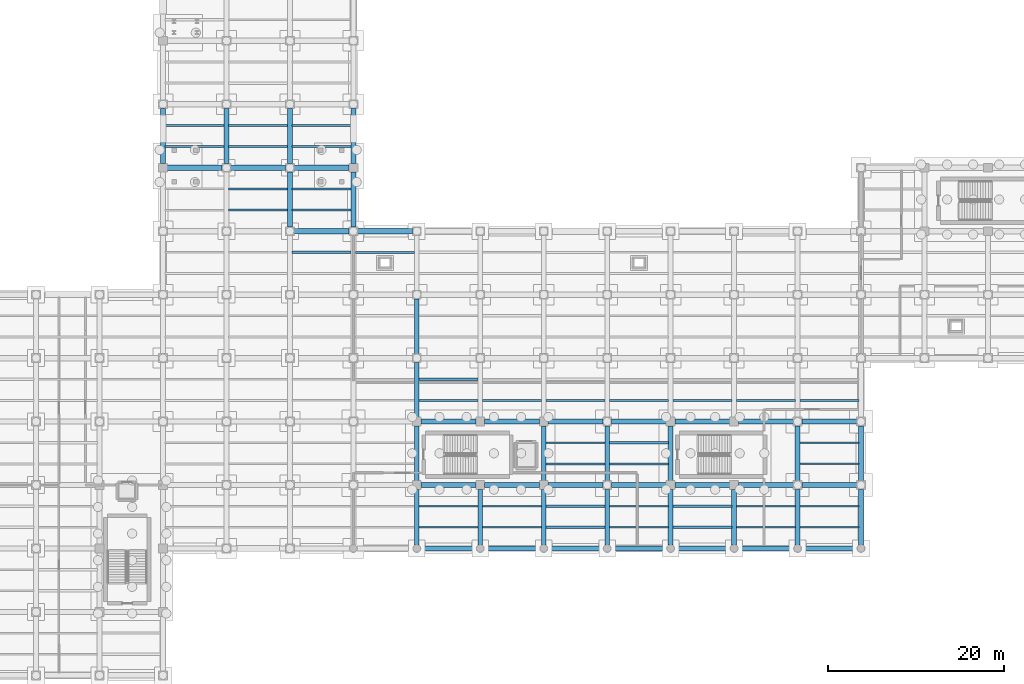
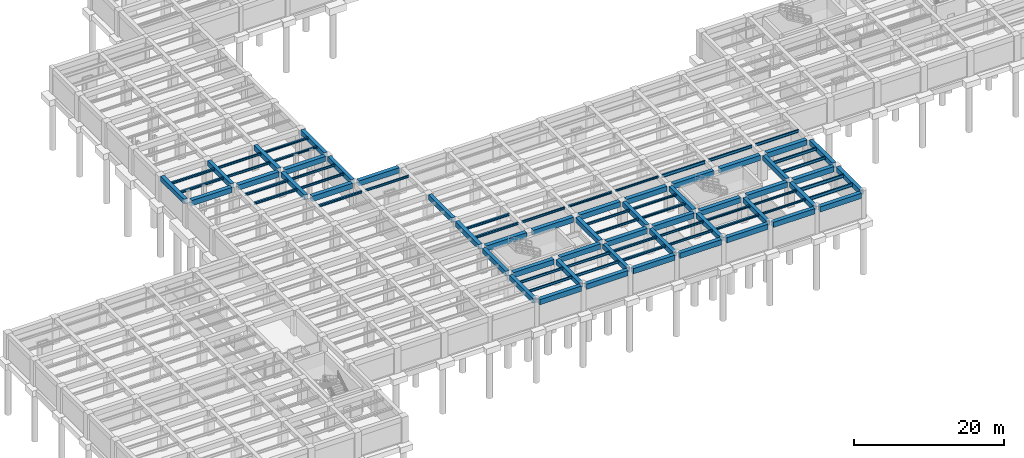
# One storey, part 10 of 34: 88 beams.
"""IFC4 building model written with IfcOpenShell, lengths in metres."""

from ifc_helpers import new_model, si_unit, direction, frame, origin, origin_2d, place, context, subcontext, project, spatial, rectangle, i_section, extrude, material, material_profile, profile_set, type_object, element, save


model = new_model("IFC4")

# Units and contexts
model_context = context("Model", 3, precision=1e-05, world=origin(), true_north=direction((0.0, 1.0)))
body_context = subcontext(model_context, "Body", "Model", "MODEL_VIEW")
ifc_project = project(units=[si_unit("LENGTHUNIT", "METRE"), si_unit("AREAUNIT", "SQUARE_METRE"), si_unit("VOLUMEUNIT", "CUBIC_METRE"), si_unit("PLANEANGLEUNIT", "RADIAN"), si_unit("MASSUNIT", "GRAM", prefix="KILO")], contexts=[model_context])

# Site, building, storey
site_placement = place(None, origin())
site = spatial("IfcSite", under=ifc_project, at=site_placement, CompositionType="ELEMENT")
building_placement = place(site_placement, origin())
building = spatial("IfcBuilding", under=site, at=building_placement, Name="Solenvale Faculty of Natural Sciences", CompositionType="ELEMENT")
storey_placement = place(building_placement, frame((0.0, 0.0, -4.5)))
storey = spatial("IfcBuildingStorey", under=building, at=storey_placement, Name="B01", CompositionType="ELEMENT", Elevation=-4.5)

# Beams
ifc_material_1 = material(Name="Concrete 40 MPa", Category="concrete")
ifc_material_profile_1 = material_profile(ifc_material_1, rectangle(XDim=0.550048828125, YDim=0.800048828125, at=origin_2d()), Name="RC-BM-550x800")
ifc_profile_set_1 = profile_set([ifc_material_profile_1], Name="Concrete 40 MPa")
beam_type_1 = type_object("IfcBeamType", Name="BM-RC-550x800", PredefinedType="BEAM", material=ifc_profile_set_1)
for number, where, z_axis, x_axis, name in (
    (1, (36.0, 58.080078125, 3.75), (0.0, 1.0, 0.0), (-1.0, 0.0, 0.0), "B01 Y-Girder X36.0 (57.6..64.8)"),
    (2, (43.199951171875, 58.080078125, 3.75), (0.0, 1.0, 0.0), (-1.0, 0.0, 0.0), "B01 Y-Girder X43.2 (57.6..64.8)"),
):
    element("IfcBeam", number, at=place(storey_placement, frame(where, z_axis=z_axis, x_axis=x_axis)), inside=storey, type_object=beam_type_1, Name=name, PredefinedType="BEAM", context=body_context, shape_type="SweptSolid", body=[
        extrude(rectangle(XDim=0.550048828125, YDim=0.800048828125, at=origin_2d()), origin(), (0.0, 0.0, 1.0), 6.239990234375),
    ])
beam_1_placement = place(storey_placement, frame((50.39990234375, 50.8798828125, 3.75), z_axis=(0.0, 1.0, 0.0), x_axis=(-1.0, 0.0, 0.0)))
element("IfcBeam", 3, at=beam_1_placement, inside=storey, type_object=beam_type_1, Name="B01 Y-Girder X50.4 (50.4..57.6)", PredefinedType="BEAM", context=body_context, shape_type="SweptSolid", body=[
    extrude(rectangle(XDim=0.550048828125, YDim=0.800048828125, at=origin_2d()), origin(), (0.0, 0.0, 1.0), 6.240234375),
])
beam_2_placement = place(storey_placement, frame((50.39990234375, 58.080078125, 3.75), z_axis=(0.0, 1.0, 0.0), x_axis=(-1.0, 0.0, 0.0)))
element("IfcBeam", 4, at=beam_2_placement, inside=storey, type_object=beam_type_1, Name="B01 Y-Girder X50.4 (57.6..64.8)", PredefinedType="BEAM", context=body_context, shape_type="SweptSolid", body=[
    extrude(rectangle(XDim=0.550048828125, YDim=0.800048828125, at=origin_2d()), origin(), (0.0, 0.0, 1.0), 6.239990234375),
])
beam_3_placement = place(storey_placement, frame((57.60009765625, 50.8798828125, 3.75), z_axis=(0.0, 1.0, 0.0), x_axis=(-1.0, 0.0, 0.0)))
element("IfcBeam", 5, at=beam_3_placement, inside=storey, type_object=beam_type_1, Name="B01 Y-Girder X57.6 (50.4..57.6)", PredefinedType="BEAM", context=body_context, shape_type="SweptSolid", body=[
    extrude(rectangle(XDim=0.550048828125, YDim=0.800048828125, at=origin_2d()), origin(), (0.0, 0.0, 1.0), 6.240234375),
])
beam_4_placement = place(storey_placement, frame((57.60009765625, 58.080078125, 3.75), z_axis=(0.0, 1.0, 0.0), x_axis=(-1.0, 0.0, 0.0)))
element("IfcBeam", 6, at=beam_4_placement, inside=storey, type_object=beam_type_1, Name="B01 Y-Girder X57.6 (57.6..64.8)", PredefinedType="BEAM", context=body_context, shape_type="SweptSolid", body=[
    extrude(rectangle(XDim=0.550048828125, YDim=0.800048828125, at=origin_2d()), origin(), (0.0, 0.0, 1.0), 6.239990234375),
])
beam_5_placement = place(storey_placement, frame((64.800048828125, 14.804931640625, 3.75), z_axis=(0.0, 1.0, 0.0), x_axis=(-1.0, 0.0, 0.0)))
element("IfcBeam", 7, at=beam_5_placement, inside=storey, type_object=beam_type_1, Name="B01 Y-Girder X64.8 (14.4..21.6)", PredefinedType="BEAM", context=body_context, shape_type="SweptSolid", body=[
    extrude(rectangle(XDim=0.550048828125, YDim=0.800048828125, at=origin_2d()), origin(), (0.0, 0.0, 1.0), 6.315185546875),
])
for number, where, z_axis, x_axis, name in (
    (8, (64.800048828125, 22.080078125, 3.75), (0.0, 1.0, 0.0), (-1.0, 0.0, 0.0), "B01 Y-Girder X64.8 (21.6..28.8)"),
    (9, (64.800048828125, 29.280029296875, 3.75), (0.0, 1.0, 0.0), (-1.0, 0.0, 0.0), "B01 Y-Girder X64.8 (28.8..36.0)"),
    (10, (64.800048828125, 36.47998046875, 3.75), (0.0, 1.0, 0.0), (-1.0, 0.0, 0.0), "B01 Y-Girder X64.8 (36.0..43.2)"),
):
    element("IfcBeam", number, at=place(storey_placement, frame(where, z_axis=z_axis, x_axis=x_axis)), inside=storey, type_object=beam_type_1, Name=name, PredefinedType="BEAM", context=body_context, shape_type="SweptSolid", body=[
        extrude(rectangle(XDim=0.550048828125, YDim=0.800048828125, at=origin_2d()), origin(), (0.0, 0.0, 1.0), 6.239990234375),
    ])
for number, where, z_axis, x_axis, name in (
    (11, (72.0, 14.804931640625, 3.75), (0.0, 1.0, 0.0), (-1.0, 0.0, 0.0), "B01 Y-Girder X72.0 (14.4..21.6)"),
    (12, (79.199951171875, 14.804931640625, 3.75), (0.0, 1.0, 0.0), (-1.0, 0.0, 0.0), "B01 Y-Girder X79.2 (14.4..21.6)"),
):
    element("IfcBeam", number, at=place(storey_placement, frame(where, z_axis=z_axis, x_axis=x_axis)), inside=storey, type_object=beam_type_1, Name=name, PredefinedType="BEAM", context=body_context, shape_type="SweptSolid", body=[
        extrude(rectangle(XDim=0.550048828125, YDim=0.800048828125, at=origin_2d()), origin(), (0.0, 0.0, 1.0), 6.315185546875),
    ])
beam_6_placement = place(storey_placement, frame((79.199951171875, 22.080078125, 3.75), z_axis=(0.0, 1.0, 0.0), x_axis=(-1.0, 0.0, 0.0)))
element("IfcBeam", 13, at=beam_6_placement, inside=storey, type_object=beam_type_1, Name="B01 Y-Girder X79.2 (21.6..28.8)", PredefinedType="BEAM", context=body_context, shape_type="SweptSolid", body=[
    extrude(rectangle(XDim=0.550048828125, YDim=0.800048828125, at=origin_2d()), origin(), (0.0, 0.0, 1.0), 6.239990234375),
])
beam_7_placement = place(storey_placement, frame((86.39990234375, 14.804931640625, 3.75), z_axis=(0.0, 1.0, 0.0), x_axis=(-1.0, 0.0, 0.0)))
element("IfcBeam", 14, at=beam_7_placement, inside=storey, type_object=beam_type_1, Name="B01 Y-Girder X86.4 (14.4..21.6)", PredefinedType="BEAM", context=body_context, shape_type="SweptSolid", body=[
    extrude(rectangle(XDim=0.550048828125, YDim=0.800048828125, at=origin_2d()), origin(), (0.0, 0.0, 1.0), 6.315185546875),
])
beam_8_placement = place(storey_placement, frame((86.39990234375, 22.080078125, 3.75), z_axis=(0.0, 1.0, 0.0), x_axis=(-1.0, 0.0, 0.0)))
element("IfcBeam", 15, at=beam_8_placement, inside=storey, type_object=beam_type_1, Name="B01 Y-Girder X86.4 (21.6..28.8)", PredefinedType="BEAM", context=body_context, shape_type="SweptSolid", body=[
    extrude(rectangle(XDim=0.550048828125, YDim=0.800048828125, at=origin_2d()), origin(), (0.0, 0.0, 1.0), 6.239990234375),
])
beam_9_placement = place(storey_placement, frame((93.60009765625, 14.804931640625, 3.75), z_axis=(0.0, 1.0, 0.0), x_axis=(-1.0, 0.0, 0.0)))
element("IfcBeam", 16, at=beam_9_placement, inside=storey, type_object=beam_type_1, Name="B01 Y-Girder X93.6 (14.4..21.6)", PredefinedType="BEAM", context=body_context, shape_type="SweptSolid", body=[
    extrude(rectangle(XDim=0.550048828125, YDim=0.800048828125, at=origin_2d()), origin(), (0.0, 0.0, 1.0), 6.315185546875),
])
beam_10_placement = place(storey_placement, frame((93.60009765625, 22.080078125, 3.75), z_axis=(0.0, 1.0, 0.0), x_axis=(-1.0, 0.0, 0.0)))
element("IfcBeam", 17, at=beam_10_placement, inside=storey, type_object=beam_type_1, Name="B01 Y-Girder X93.6 (21.6..28.8)", PredefinedType="BEAM", context=body_context, shape_type="SweptSolid", body=[
    extrude(rectangle(XDim=0.550048828125, YDim=0.800048828125, at=origin_2d()), origin(), (0.0, 0.0, 1.0), 6.239990234375),
])
for number, where, z_axis, x_axis, name in (
    (18, (100.800048828125, 14.804931640625, 3.75), (0.0, 1.0, 0.0), (-1.0, 0.0, 0.0), "B01 Y-Girder X100.8 (14.4..21.6)"),
    (19, (108.0, 14.804931640625, 3.75), (0.0, 1.0, 0.0), (-1.0, 0.0, 0.0), "B01 Y-Girder X108.0 (14.4..21.6)"),
):
    element("IfcBeam", number, at=place(storey_placement, frame(where, z_axis=z_axis, x_axis=x_axis)), inside=storey, type_object=beam_type_1, Name=name, PredefinedType="BEAM", context=body_context, shape_type="SweptSolid", body=[
        extrude(rectangle(XDim=0.550048828125, YDim=0.800048828125, at=origin_2d()), origin(), (0.0, 0.0, 1.0), 6.315185546875),
    ])
beam_11_placement = place(storey_placement, frame((108.0, 22.080078125, 3.75), z_axis=(0.0, 1.0, 0.0), x_axis=(-1.0, 0.0, 0.0)))
element("IfcBeam", 20, at=beam_11_placement, inside=storey, type_object=beam_type_1, Name="B01 Y-Girder X108.0 (21.6..28.8)", PredefinedType="BEAM", context=body_context, shape_type="SweptSolid", body=[
    extrude(rectangle(XDim=0.550048828125, YDim=0.800048828125, at=origin_2d()), origin(), (0.0, 0.0, 1.0), 6.239990234375),
])
beam_12_placement = place(storey_placement, frame((115.199951171875, 14.804931640625, 3.75), z_axis=(0.0, 1.0, 0.0), x_axis=(-1.0, 0.0, 0.0)))
element("IfcBeam", 21, at=beam_12_placement, inside=storey, type_object=beam_type_1, Name="B01 Y-Girder X115.2 (14.4..21.6)", PredefinedType="BEAM", context=body_context, shape_type="SweptSolid", body=[
    extrude(rectangle(XDim=0.550048828125, YDim=0.800048828125, at=origin_2d()), origin(), (0.0, 0.0, 1.0), 6.315185546875),
])
beam_13_placement = place(storey_placement, frame((115.199951171875, 22.080078125, 3.75), z_axis=(0.0, 1.0, 0.0), x_axis=(-1.0, 0.0, 0.0)))
element("IfcBeam", 22, at=beam_13_placement, inside=storey, type_object=beam_type_1, Name="B01 Y-Girder X115.2 (21.6..28.8)", PredefinedType="BEAM", context=body_context, shape_type="SweptSolid", body=[
    extrude(rectangle(XDim=0.550048828125, YDim=0.800048828125, at=origin_2d()), origin(), (0.0, 0.0, 1.0), 6.239990234375),
])
ifc_material_profile_2 = material_profile(ifc_material_1, rectangle(XDim=0.60009765625, YDim=0.85009765625, at=origin_2d()), Name="RC-BM-600x850")
ifc_profile_set_2 = profile_set([ifc_material_profile_2], Name="Concrete 40 MPa")
beam_type_2 = type_object("IfcBeamType", Name="BM-RC-600x850", PredefinedType="BEAM", material=ifc_profile_set_2)
for number, where, z_axis, x_axis, name in (
    (23, (65.205078125, 14.39990234375, 3.72509765625), (1.0, 0.0, 0.0), (0.0, 1.0, 0.0), "B01 X-Girder Y14.4 (64.8..72.0)"),
    (24, (72.405029296875, 14.39990234375, 3.72509765625), (1.0, 0.0, 0.0), (0.0, 1.0, 0.0), "B01 X-Girder Y14.4 (72.0..79.2)"),
):
    element("IfcBeam", number, at=place(storey_placement, frame(where, z_axis=z_axis, x_axis=x_axis)), inside=storey, type_object=beam_type_2, Name=name, PredefinedType="BEAM", context=body_context, shape_type="SweptSolid", body=[
        extrude(rectangle(XDim=0.60009765625, YDim=0.85009765625, at=origin_2d()), origin(), (0.0, 0.0, 1.0), 6.389892578125),
    ])
for number, where, z_axis, x_axis, name in (
    (25, (79.60498046875, 14.39990234375, 3.72509765625), (1.0, 0.0, 0.0), (0.0, 1.0, 0.0), "B01 X-Girder Y14.4 (79.2..86.4)"),
    (26, (86.804931640625, 14.39990234375, 3.72509765625), (1.0, 0.0, 0.0), (0.0, 1.0, 0.0), "B01 X-Girder Y14.4 (86.4..93.6)"),
    (27, (94.0048828125, 14.39990234375, 3.72509765625), (1.0, 0.0, 0.0), (0.0, 1.0, 0.0), "B01 X-Girder Y14.4 (93.6..100.8)"),
):
    element("IfcBeam", number, at=place(storey_placement, frame(where, z_axis=z_axis, x_axis=x_axis)), inside=storey, type_object=beam_type_2, Name=name, PredefinedType="BEAM", context=body_context, shape_type="SweptSolid", body=[
        extrude(rectangle(XDim=0.60009765625, YDim=0.85009765625, at=origin_2d()), origin(), (0.0, 0.0, 1.0), 6.39013671875),
    ])
for number, where, z_axis, x_axis, name in (
    (28, (101.205078125, 14.39990234375, 3.72509765625), (1.0, 0.0, 0.0), (0.0, 1.0, 0.0), "B01 X-Girder Y14.4 (100.8..108.0)"),
    (29, (108.405029296875, 14.39990234375, 3.72509765625), (1.0, 0.0, 0.0), (0.0, 1.0, 0.0), "B01 X-Girder Y14.4 (108.0..115.2)"),
):
    element("IfcBeam", number, at=place(storey_placement, frame(where, z_axis=z_axis, x_axis=x_axis)), inside=storey, type_object=beam_type_2, Name=name, PredefinedType="BEAM", context=body_context, shape_type="SweptSolid", body=[
        extrude(rectangle(XDim=0.60009765625, YDim=0.85009765625, at=origin_2d()), origin(), (0.0, 0.0, 1.0), 6.389892578125),
    ])
for number, where, z_axis, x_axis, name in (
    (30, (65.280029296875, 21.60009765625, 3.72509765625), (1.0, 0.0, 0.0), (0.0, 1.0, 0.0), "B01 X-Girder Y21.6 (64.8..72.0)"),
    (31, (72.47998046875, 21.60009765625, 3.72509765625), (1.0, 0.0, 0.0), (0.0, 1.0, 0.0), "B01 X-Girder Y21.6 (72.0..79.2)"),
    (32, (79.679931640625, 21.60009765625, 3.72509765625), (1.0, 0.0, 0.0), (0.0, 1.0, 0.0), "B01 X-Girder Y21.6 (79.2..86.4)"),
):
    element("IfcBeam", number, at=place(storey_placement, frame(where, z_axis=z_axis, x_axis=x_axis)), inside=storey, type_object=beam_type_2, Name=name, PredefinedType="BEAM", context=body_context, shape_type="SweptSolid", body=[
        extrude(rectangle(XDim=0.60009765625, YDim=0.85009765625, at=origin_2d()), origin(), (0.0, 0.0, 1.0), 6.239990234375),
    ])
beam_14_placement = place(storey_placement, frame((86.8798828125, 21.60009765625, 3.72509765625), z_axis=(1.0, 0.0, 0.0), x_axis=(0.0, 1.0, 0.0)))
element("IfcBeam", 33, at=beam_14_placement, inside=storey, type_object=beam_type_2, Name="B01 X-Girder Y21.6 (86.4..93.6)", PredefinedType="BEAM", context=body_context, shape_type="SweptSolid", body=[
    extrude(rectangle(XDim=0.60009765625, YDim=0.85009765625, at=origin_2d()), origin(), (0.0, 0.0, 1.0), 6.240234375),
])
for number, where, z_axis, x_axis, name in (
    (34, (94.080078125, 21.60009765625, 3.72509765625), (1.0, 0.0, 0.0), (0.0, 1.0, 0.0), "B01 X-Girder Y21.6 (93.6..100.8)"),
    (35, (101.280029296875, 21.60009765625, 3.72509765625), (1.0, 0.0, 0.0), (0.0, 1.0, 0.0), "B01 X-Girder Y21.6 (100.8..108.0)"),
    (36, (108.47998046875, 21.60009765625, 3.72509765625), (1.0, 0.0, 0.0), (0.0, 1.0, 0.0), "B01 X-Girder Y21.6 (108.0..115.2)"),
    (37, (65.280029296875, 28.800048828125, 3.72509765625), (1.0, 0.0, 0.0), (0.0, 1.0, 0.0), "B01 X-Girder Y28.8 (64.8..72.0)"),
    (38, (72.47998046875, 28.800048828125, 3.72509765625), (1.0, 0.0, 0.0), (0.0, 1.0, 0.0), "B01 X-Girder Y28.8 (72.0..79.2)"),
    (39, (79.679931640625, 28.800048828125, 3.72509765625), (1.0, 0.0, 0.0), (0.0, 1.0, 0.0), "B01 X-Girder Y28.8 (79.2..86.4)"),
):
    element("IfcBeam", number, at=place(storey_placement, frame(where, z_axis=z_axis, x_axis=x_axis)), inside=storey, type_object=beam_type_2, Name=name, PredefinedType="BEAM", context=body_context, shape_type="SweptSolid", body=[
        extrude(rectangle(XDim=0.60009765625, YDim=0.85009765625, at=origin_2d()), origin(), (0.0, 0.0, 1.0), 6.239990234375),
    ])
beam_15_placement = place(storey_placement, frame((86.8798828125, 28.800048828125, 3.72509765625), z_axis=(1.0, 0.0, 0.0), x_axis=(0.0, 1.0, 0.0)))
element("IfcBeam", 40, at=beam_15_placement, inside=storey, type_object=beam_type_2, Name="B01 X-Girder Y28.8 (86.4..93.6)", PredefinedType="BEAM", context=body_context, shape_type="SweptSolid", body=[
    extrude(rectangle(XDim=0.60009765625, YDim=0.85009765625, at=origin_2d()), origin(), (0.0, 0.0, 1.0), 6.240234375),
])
for number, where, z_axis, x_axis, name in (
    (41, (94.080078125, 28.800048828125, 3.72509765625), (1.0, 0.0, 0.0), (0.0, 1.0, 0.0), "B01 X-Girder Y28.8 (93.6..100.8)"),
    (42, (101.280029296875, 28.800048828125, 3.72509765625), (1.0, 0.0, 0.0), (0.0, 1.0, 0.0), "B01 X-Girder Y28.8 (100.8..108.0)"),
    (43, (108.47998046875, 28.800048828125, 3.72509765625), (1.0, 0.0, 0.0), (0.0, 1.0, 0.0), "B01 X-Girder Y28.8 (108.0..115.2)"),
):
    element("IfcBeam", number, at=place(storey_placement, frame(where, z_axis=z_axis, x_axis=x_axis)), inside=storey, type_object=beam_type_2, Name=name, PredefinedType="BEAM", context=body_context, shape_type="SweptSolid", body=[
        extrude(rectangle(XDim=0.60009765625, YDim=0.85009765625, at=origin_2d()), origin(), (0.0, 0.0, 1.0), 6.239990234375),
    ])
beam_16_placement = place(storey_placement, frame((50.8798828125, 50.39990234375, 3.72509765625), z_axis=(1.0, 0.0, 0.0), x_axis=(0.0, 1.0, 0.0)))
element("IfcBeam", 44, at=beam_16_placement, inside=storey, type_object=beam_type_2, Name="B01 X-Girder Y50.4 (50.4..57.6)", PredefinedType="BEAM", context=body_context, shape_type="SweptSolid", body=[
    extrude(rectangle(XDim=0.60009765625, YDim=0.85009765625, at=origin_2d()), origin(), (0.0, 0.0, 1.0), 6.240234375),
])
for number, where, z_axis, x_axis, name in (
    (45, (58.080078125, 50.39990234375, 3.72509765625), (1.0, 0.0, 0.0), (0.0, 1.0, 0.0), "B01 X-Girder Y50.4 (57.6..64.8)"),
    (46, (36.47998046875, 57.60009765625, 3.72509765625), (1.0, 0.0, 0.0), (0.0, 1.0, 0.0), "B01 X-Girder Y57.6 (36.0..43.2)"),
    (47, (43.679931640625, 57.60009765625, 3.72509765625), (1.0, 0.0, 0.0), (0.0, 1.0, 0.0), "B01 X-Girder Y57.6 (43.2..50.4)"),
):
    element("IfcBeam", number, at=place(storey_placement, frame(where, z_axis=z_axis, x_axis=x_axis)), inside=storey, type_object=beam_type_2, Name=name, PredefinedType="BEAM", context=body_context, shape_type="SweptSolid", body=[
        extrude(rectangle(XDim=0.60009765625, YDim=0.85009765625, at=origin_2d()), origin(), (0.0, 0.0, 1.0), 6.239990234375),
    ])
beam_17_placement = place(storey_placement, frame((50.8798828125, 57.60009765625, 3.72509765625), z_axis=(1.0, 0.0, 0.0), x_axis=(0.0, 1.0, 0.0)))
element("IfcBeam", 48, at=beam_17_placement, inside=storey, type_object=beam_type_2, Name="B01 X-Girder Y57.6 (50.4..57.6)", PredefinedType="BEAM", context=body_context, shape_type="SweptSolid", body=[
    extrude(rectangle(XDim=0.60009765625, YDim=0.85009765625, at=origin_2d()), origin(), (0.0, 0.0, 1.0), 6.240234375),
])
ifc_material_2 = material(Name="Steel S355", Category="steel")
ifc_material_profile_3 = material_profile(ifc_material_2, i_section(OverallWidth=0.202880859375, OverallDepth=0.302978515625, WebThickness=0.007568359375, FlangeThickness=0.01318359375, FilletRadius=0.014892578125, at=origin_2d()), Name="W310x60")
ifc_profile_set_3 = profile_set([ifc_material_profile_3], Name="Steel S355")
beam_type_3 = type_object("IfcBeamType", Name="BM-STL-W310x60", PredefinedType="JOIST", material=ifc_profile_set_3)
beam_18_placement = place(storey_placement, frame((86.655029296875, 31.199951171875, 3.99853515625), z_axis=(1.0, 0.0, 0.0), x_axis=(0.0, 1.0, 0.0)))
element("IfcBeam", 49, at=beam_18_placement, inside=storey, type_object=beam_type_3, Name="B01 Composite Floor Joist (13,5).1", PredefinedType="JOIST", context=body_context, shape_type="SweptSolid", body=[
    extrude(i_section(OverallWidth=0.202880859375, OverallDepth=0.302978515625, WebThickness=0.007568359375, FlangeThickness=0.01318359375, FilletRadius=0.014892578125, at=origin_2d()), origin(), (0.0, 0.0, 1.0), 6.68994140625),
])
for number, where, z_axis, x_axis, name in (
    (50, (101.054931640625, 16.800048828125, 3.99853515625), (1.0, 0.0, 0.0), (0.0, 1.0, 0.0), "B01 Composite Floor Joist (15,3).1"),
    (51, (101.054931640625, 19.199951171875, 3.99853515625), (1.0, 0.0, 0.0), (0.0, 1.0, 0.0), "B01 Composite Floor Joist (15,3).2"),
):
    element("IfcBeam", number, at=place(storey_placement, frame(where, z_axis=z_axis, x_axis=x_axis)), inside=storey, type_object=beam_type_3, Name=name, PredefinedType="JOIST", context=body_context, shape_type="SweptSolid", body=[
        extrude(i_section(OverallWidth=0.202880859375, OverallDepth=0.302978515625, WebThickness=0.007568359375, FlangeThickness=0.01318359375, FilletRadius=0.014892578125, at=origin_2d()), origin(), (0.0, 0.0, 1.0), 6.690185546875),
    ])
ifc_material_profile_4 = material_profile(ifc_material_2, i_section(OverallWidth=0.25390625, OverallDepth=0.305908203125, WebThickness=0.0087890625, FlangeThickness=0.0146484375, FilletRadius=0.014892578125, at=origin_2d()), Name="W310x79")
ifc_profile_set_4 = profile_set([ifc_material_profile_4], Name="Steel S355")
beam_type_4 = type_object("IfcBeamType", Name="BM-STL-W310x79", PredefinedType="JOIST", material=ifc_profile_set_4)
for number, where, z_axis, x_axis, name in (
    (52, (50.655029296875, 60.0, 3.9970703125), (1.0, 0.0, 0.0), (0.0, 1.0, 0.0), "B01 Composite Floor Joist (8,9).1"),
    (53, (50.655029296875, 62.39990234375, 3.9970703125), (1.0, 0.0, 0.0), (0.0, 1.0, 0.0), "B01 Composite Floor Joist (8,9).2"),
    (54, (79.455078125, 31.199951171875, 3.9970703125), (1.0, 0.0, 0.0), (0.0, 1.0, 0.0), "B01 Composite Floor Joist (12,5).1"),
    (55, (86.655029296875, 24.0, 3.9970703125), (1.0, 0.0, 0.0), (0.0, 1.0, 0.0), "B01 Composite Floor Joist (13,4).1"),
    (56, (86.655029296875, 26.39990234375, 3.9970703125), (1.0, 0.0, 0.0), (0.0, 1.0, 0.0), "B01 Composite Floor Joist (13,4).2"),
    (57, (93.85498046875, 16.800048828125, 3.9970703125), (1.0, 0.0, 0.0), (0.0, 1.0, 0.0), "B01 Composite Floor Joist (14,3).1"),
    (58, (93.85498046875, 19.199951171875, 3.9970703125), (1.0, 0.0, 0.0), (0.0, 1.0, 0.0), "B01 Composite Floor Joist (14,3).2"),
):
    element("IfcBeam", number, at=place(storey_placement, frame(where, z_axis=z_axis, x_axis=x_axis)), inside=storey, type_object=beam_type_4, Name=name, PredefinedType="JOIST", context=body_context, shape_type="SweptSolid", body=[
        extrude(i_section(OverallWidth=0.25390625, OverallDepth=0.305908203125, WebThickness=0.0087890625, FlangeThickness=0.0146484375, FilletRadius=0.014892578125, at=origin_2d()), origin(), (0.0, 0.0, 1.0), 6.68994140625),
    ])
ifc_material_profile_5 = material_profile(ifc_material_2, i_section(OverallWidth=0.2548828125, OverallDepth=0.35693359375, WebThickness=0.010498046875, FlangeThickness=0.018310546875, FilletRadius=0.014892578125, at=origin_2d()), Name="W360x101")
ifc_profile_set_5 = profile_set([ifc_material_profile_5], Name="Steel S355")
beam_type_5 = type_object("IfcBeamType", Name="BM-STL-W360x101", PredefinedType="JOIST", material=ifc_profile_set_5)
for number, where, z_axis, x_axis, name in (
    (59, (36.2548828125, 60.0, 3.971435546875), (1.0, 0.0, 0.0), (0.0, 1.0, 0.0), "B01 Composite Floor Joist (6,9).1"),
    (60, (36.2548828125, 62.39990234375, 3.971435546875), (1.0, 0.0, 0.0), (0.0, 1.0, 0.0), "B01 Composite Floor Joist (6,9).2"),
):
    element("IfcBeam", number, at=place(storey_placement, frame(where, z_axis=z_axis, x_axis=x_axis)), inside=storey, type_object=beam_type_5, Name=name, PredefinedType="JOIST", context=body_context, shape_type="SweptSolid", body=[
        extrude(i_section(OverallWidth=0.2548828125, OverallDepth=0.35693359375, WebThickness=0.010498046875, FlangeThickness=0.018310546875, FilletRadius=0.014892578125, at=origin_2d()), origin(), (0.0, 0.0, 1.0), 6.690185546875),
    ])
for number, where, z_axis, x_axis, name in (
    (61, (43.455078125, 52.800048828125, 3.971435546875), (1.0, 0.0, 0.0), (0.0, 1.0, 0.0), "B01 Composite Floor Joist (7,8).1"),
    (62, (43.455078125, 55.199951171875, 3.971435546875), (1.0, 0.0, 0.0), (0.0, 1.0, 0.0), "B01 Composite Floor Joist (7,8).2"),
    (63, (50.655029296875, 48.0, 3.971435546875), (1.0, 0.0, 0.0), (0.0, 1.0, 0.0), "B01 Composite Floor Joist (8,7).2"),
):
    element("IfcBeam", number, at=place(storey_placement, frame(where, z_axis=z_axis, x_axis=x_axis)), inside=storey, type_object=beam_type_5, Name=name, PredefinedType="JOIST", context=body_context, shape_type="SweptSolid", body=[
        extrude(i_section(OverallWidth=0.2548828125, OverallDepth=0.35693359375, WebThickness=0.010498046875, FlangeThickness=0.018310546875, FilletRadius=0.014892578125, at=origin_2d()), origin(), (0.0, 0.0, 1.0), 6.68994140625),
    ])
for number, where, z_axis, x_axis, name in (
    (64, (65.054931640625, 31.199951171875, 3.971435546875), (1.0, 0.0, 0.0), (0.0, 1.0, 0.0), "B01 Composite Floor Joist (10,5).1"),
    (65, (65.054931640625, 33.60009765625, 3.971435546875), (1.0, 0.0, 0.0), (0.0, 1.0, 0.0), "B01 Composite Floor Joist (10,5).2"),
):
    element("IfcBeam", number, at=place(storey_placement, frame(where, z_axis=z_axis, x_axis=x_axis)), inside=storey, type_object=beam_type_5, Name=name, PredefinedType="JOIST", context=body_context, shape_type="SweptSolid", body=[
        extrude(i_section(OverallWidth=0.2548828125, OverallDepth=0.35693359375, WebThickness=0.010498046875, FlangeThickness=0.018310546875, FilletRadius=0.014892578125, at=origin_2d()), origin(), (0.0, 0.0, 1.0), 6.690185546875),
    ])
for number, where, z_axis, x_axis, name in (
    (66, (79.455078125, 16.800048828125, 3.971435546875), (1.0, 0.0, 0.0), (0.0, 1.0, 0.0), "B01 Composite Floor Joist (12,3).1"),
    (67, (79.455078125, 19.199951171875, 3.971435546875), (1.0, 0.0, 0.0), (0.0, 1.0, 0.0), "B01 Composite Floor Joist (12,3).2"),
):
    element("IfcBeam", number, at=place(storey_placement, frame(where, z_axis=z_axis, x_axis=x_axis)), inside=storey, type_object=beam_type_5, Name=name, PredefinedType="JOIST", context=body_context, shape_type="SweptSolid", body=[
        extrude(i_section(OverallWidth=0.2548828125, OverallDepth=0.35693359375, WebThickness=0.010498046875, FlangeThickness=0.018310546875, FilletRadius=0.014892578125, at=origin_2d()), origin(), (0.0, 0.0, 1.0), 6.68994140625),
    ])
ifc_material_profile_6 = material_profile(ifc_material_2, i_section(OverallWidth=0.2041015625, OverallDepth=0.35009765625, WebThickness=0.008544921875, FlangeThickness=0.01513671875, FilletRadius=0.014892578125, at=origin_2d()), Name="W360x72")
ifc_profile_set_6 = profile_set([ifc_material_profile_6], Name="Steel S355")
beam_type_6 = type_object("IfcBeamType", Name="BM-STL-W360x72", PredefinedType="JOIST", material=ifc_profile_set_6)
for number, where, z_axis, x_axis, name in (
    (68, (43.455078125, 60.0, 3.97509765625), (1.0, 0.0, 0.0), (0.0, 1.0, 0.0), "B01 Composite Floor Joist (7,9).1"),
    (69, (43.455078125, 62.39990234375, 3.97509765625), (1.0, 0.0, 0.0), (0.0, 1.0, 0.0), "B01 Composite Floor Joist (7,9).2"),
    (70, (50.655029296875, 52.800048828125, 3.97509765625), (1.0, 0.0, 0.0), (0.0, 1.0, 0.0), "B01 Composite Floor Joist (8,8).1"),
    (71, (50.655029296875, 55.199951171875, 3.97509765625), (1.0, 0.0, 0.0), (0.0, 1.0, 0.0), "B01 Composite Floor Joist (8,8).2"),
    (72, (57.85498046875, 48.0, 3.97509765625), (1.0, 0.0, 0.0), (0.0, 1.0, 0.0), "B01 Composite Floor Joist (9,7).2"),
):
    element("IfcBeam", number, at=place(storey_placement, frame(where, z_axis=z_axis, x_axis=x_axis)), inside=storey, type_object=beam_type_6, Name=name, PredefinedType="JOIST", context=body_context, shape_type="SweptSolid", body=[
        extrude(i_section(OverallWidth=0.2041015625, OverallDepth=0.35009765625, WebThickness=0.008544921875, FlangeThickness=0.01513671875, FilletRadius=0.014892578125, at=origin_2d()), origin(), (0.0, 0.0, 1.0), 6.68994140625),
    ])
beam_19_placement = place(storey_placement, frame((72.2548828125, 31.199951171875, 3.97509765625), z_axis=(1.0, 0.0, 0.0), x_axis=(0.0, 1.0, 0.0)))
element("IfcBeam", 73, at=beam_19_placement, inside=storey, type_object=beam_type_6, Name="B01 Composite Floor Joist (11,5).1", PredefinedType="JOIST", context=body_context, shape_type="SweptSolid", body=[
    extrude(i_section(OverallWidth=0.2041015625, OverallDepth=0.35009765625, WebThickness=0.008544921875, FlangeThickness=0.01513671875, FilletRadius=0.014892578125, at=origin_2d()), origin(), (0.0, 0.0, 1.0), 6.690185546875),
])
for number, where, z_axis, x_axis, name in (
    (74, (79.455078125, 24.0, 3.97509765625), (1.0, 0.0, 0.0), (0.0, 1.0, 0.0), "B01 Composite Floor Joist (12,4).1"),
    (75, (79.455078125, 26.39990234375, 3.97509765625), (1.0, 0.0, 0.0), (0.0, 1.0, 0.0), "B01 Composite Floor Joist (12,4).2"),
    (76, (86.655029296875, 16.800048828125, 3.97509765625), (1.0, 0.0, 0.0), (0.0, 1.0, 0.0), "B01 Composite Floor Joist (13,3).1"),
    (77, (86.655029296875, 19.199951171875, 3.97509765625), (1.0, 0.0, 0.0), (0.0, 1.0, 0.0), "B01 Composite Floor Joist (13,3).2"),
):
    element("IfcBeam", number, at=place(storey_placement, frame(where, z_axis=z_axis, x_axis=x_axis)), inside=storey, type_object=beam_type_6, Name=name, PredefinedType="JOIST", context=body_context, shape_type="SweptSolid", body=[
        extrude(i_section(OverallWidth=0.2041015625, OverallDepth=0.35009765625, WebThickness=0.008544921875, FlangeThickness=0.01513671875, FilletRadius=0.014892578125, at=origin_2d()), origin(), (0.0, 0.0, 1.0), 6.68994140625),
    ])
ifc_material_profile_7 = material_profile(ifc_material_2, i_section(OverallWidth=0.178955078125, OverallDepth=0.409912109375, WebThickness=0.0087890625, FlangeThickness=0.014404296875, FilletRadius=0.01611328125, at=origin_2d()), Name="W410x67")
ifc_profile_set_7 = profile_set([ifc_material_profile_7], Name="Steel S355")
beam_type_7 = type_object("IfcBeamType", Name="BM-STL-W410x67", PredefinedType="JOIST", material=ifc_profile_set_7)
for number, where, z_axis, x_axis, name in (
    (78, (72.2548828125, 16.800048828125, 3.945068359375), (1.0, 0.0, 0.0), (0.0, 1.0, 0.0), "B01 Composite Floor Joist (11,3).1"),
    (79, (72.2548828125, 19.199951171875, 3.945068359375), (1.0, 0.0, 0.0), (0.0, 1.0, 0.0), "B01 Composite Floor Joist (11,3).2"),
):
    element("IfcBeam", number, at=place(storey_placement, frame(where, z_axis=z_axis, x_axis=x_axis)), inside=storey, type_object=beam_type_7, Name=name, PredefinedType="JOIST", context=body_context, shape_type="SweptSolid", body=[
        extrude(i_section(OverallWidth=0.178955078125, OverallDepth=0.409912109375, WebThickness=0.0087890625, FlangeThickness=0.014404296875, FilletRadius=0.01611328125, at=origin_2d()), origin(), (0.0, 0.0, 1.0), 6.690185546875),
    ])
ifc_material_profile_8 = material_profile(ifc_material_2, i_section(OverallWidth=0.180908203125, OverallDepth=0.4169921875, WebThickness=0.010986328125, FlangeThickness=0.018310546875, FilletRadius=0.01611328125, at=origin_2d()), Name="W410x85")
ifc_profile_set_8 = profile_set([ifc_material_profile_8], Name="Steel S355")
beam_type_8 = type_object("IfcBeamType", Name="BM-STL-W410x85", PredefinedType="JOIST", material=ifc_profile_set_8)
for number, where, z_axis, x_axis, name in (
    (80, (65.054931640625, 16.800048828125, 3.94140625), (1.0, 0.0, 0.0), (0.0, 1.0, 0.0), "B01 Composite Floor Joist (10,3).1"),
    (81, (65.054931640625, 19.199951171875, 3.94140625), (1.0, 0.0, 0.0), (0.0, 1.0, 0.0), "B01 Composite Floor Joist (10,3).2"),
):
    element("IfcBeam", number, at=place(storey_placement, frame(where, z_axis=z_axis, x_axis=x_axis)), inside=storey, type_object=beam_type_8, Name=name, PredefinedType="JOIST", context=body_context, shape_type="SweptSolid", body=[
        extrude(i_section(OverallWidth=0.180908203125, OverallDepth=0.4169921875, WebThickness=0.010986328125, FlangeThickness=0.018310546875, FilletRadius=0.01611328125, at=origin_2d()), origin(), (0.0, 0.0, 1.0), 6.690185546875),
    ])
ifc_material_profile_9 = material_profile(ifc_material_2, i_section(OverallWidth=0.194091796875, OverallDepth=0.468994140625, WebThickness=0.0126953125, FlangeThickness=0.0205078125, FilletRadius=0.01806640625, at=origin_2d()), Name="W460x106")
ifc_profile_set_9 = profile_set([ifc_material_profile_9], Name="Steel S355")
beam_type_9 = type_object("IfcBeamType", Name="BM-STL-W460x106", PredefinedType="JOIST", material=ifc_profile_set_9)
for number, where, z_axis, x_axis, name in (
    (82, (101.054931640625, 31.199951171875, 3.91552734375), (1.0, 0.0, 0.0), (0.0, 1.0, 0.0), "B01 Composite Floor Joist (15,5).1"),
    (83, (108.2548828125, 24.0, 3.91552734375), (1.0, 0.0, 0.0), (0.0, 1.0, 0.0), "B01 Composite Floor Joist (16,4).1"),
    (84, (108.2548828125, 26.39990234375, 3.91552734375), (1.0, 0.0, 0.0), (0.0, 1.0, 0.0), "B01 Composite Floor Joist (16,4).2"),
):
    element("IfcBeam", number, at=place(storey_placement, frame(where, z_axis=z_axis, x_axis=x_axis)), inside=storey, type_object=beam_type_9, Name=name, PredefinedType="JOIST", context=body_context, shape_type="SweptSolid", body=[
        extrude(i_section(OverallWidth=0.194091796875, OverallDepth=0.468994140625, WebThickness=0.0126953125, FlangeThickness=0.0205078125, FilletRadius=0.01806640625, at=origin_2d()), origin(), (0.0, 0.0, 1.0), 6.690185546875),
    ])
ifc_material_profile_10 = material_profile(ifc_material_2, i_section(OverallWidth=0.19091796875, OverallDepth=0.4599609375, WebThickness=0.010009765625, FlangeThickness=0.01611328125, FilletRadius=0.01806640625, at=origin_2d()), Name="W460x82")
ifc_profile_set_10 = profile_set([ifc_material_profile_10], Name="Steel S355")
beam_type_10 = type_object("IfcBeamType", Name="BM-STL-W460x82", PredefinedType="JOIST", material=ifc_profile_set_10)
beam_20_placement = place(storey_placement, frame((108.2548828125, 31.199951171875, 3.919921875), z_axis=(1.0, 0.0, 0.0), x_axis=(0.0, 1.0, 0.0)))
element("IfcBeam", 85, at=beam_20_placement, inside=storey, type_object=beam_type_10, Name="B01 Composite Floor Joist (16,5).1", PredefinedType="JOIST", context=body_context, shape_type="SweptSolid", body=[
    extrude(i_section(OverallWidth=0.19091796875, OverallDepth=0.4599609375, WebThickness=0.010009765625, FlangeThickness=0.01611328125, FilletRadius=0.01806640625, at=origin_2d()), origin(), (0.0, 0.0, 1.0), 6.690185546875),
])
ifc_material_profile_11 = material_profile(ifc_material_2, i_section(OverallWidth=0.208984375, OverallDepth=0.532958984375, WebThickness=0.01025390625, FlangeThickness=0.015625, FilletRadius=0.01904296875, at=origin_2d()), Name="W530x92")
ifc_profile_set_11 = profile_set([ifc_material_profile_11], Name="Steel S355")
beam_type_11 = type_object("IfcBeamType", Name="BM-STL-W530x92", PredefinedType="JOIST", material=ifc_profile_set_11)
beam_21_placement = place(storey_placement, frame((93.85498046875, 31.199951171875, 3.883544921875), z_axis=(1.0, 0.0, 0.0), x_axis=(0.0, 1.0, 0.0)))
element("IfcBeam", 86, at=beam_21_placement, inside=storey, type_object=beam_type_11, Name="B01 Composite Floor Joist (14,5).1", PredefinedType="JOIST", context=body_context, shape_type="SweptSolid", body=[
    extrude(i_section(OverallWidth=0.208984375, OverallDepth=0.532958984375, WebThickness=0.01025390625, FlangeThickness=0.015625, FilletRadius=0.01904296875, at=origin_2d()), origin(), (0.0, 0.0, 1.0), 6.68994140625),
])
for number, where, z_axis, x_axis, name in (
    (87, (108.2548828125, 16.800048828125, 3.883544921875), (1.0, 0.0, 0.0), (0.0, 1.0, 0.0), "B01 Composite Floor Joist (16,3).1"),
    (88, (108.2548828125, 19.199951171875, 3.883544921875), (1.0, 0.0, 0.0), (0.0, 1.0, 0.0), "B01 Composite Floor Joist (16,3).2"),
):
    element("IfcBeam", number, at=place(storey_placement, frame(where, z_axis=z_axis, x_axis=x_axis)), inside=storey, type_object=beam_type_11, Name=name, PredefinedType="JOIST", context=body_context, shape_type="SweptSolid", body=[
        extrude(i_section(OverallWidth=0.208984375, OverallDepth=0.532958984375, WebThickness=0.01025390625, FlangeThickness=0.015625, FilletRadius=0.01904296875, at=origin_2d()), origin(), (0.0, 0.0, 1.0), 6.690185546875),
    ])

save(model, "model.ifc")
